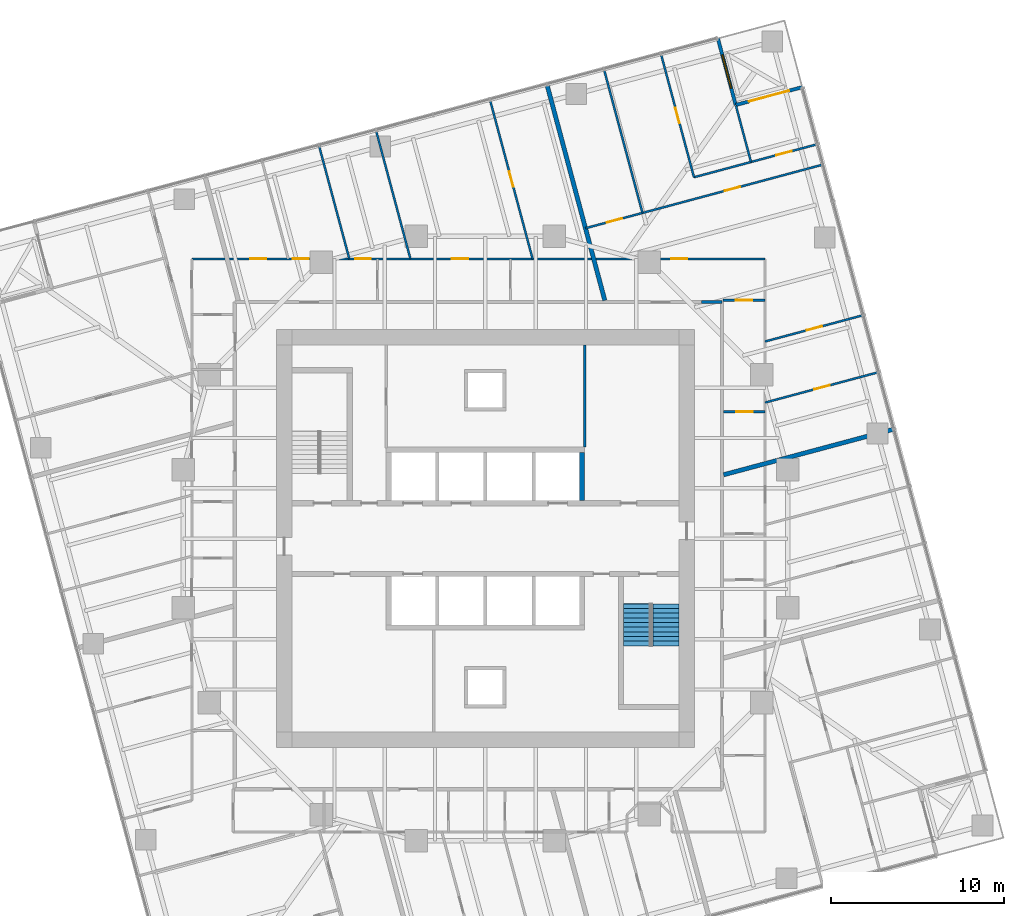
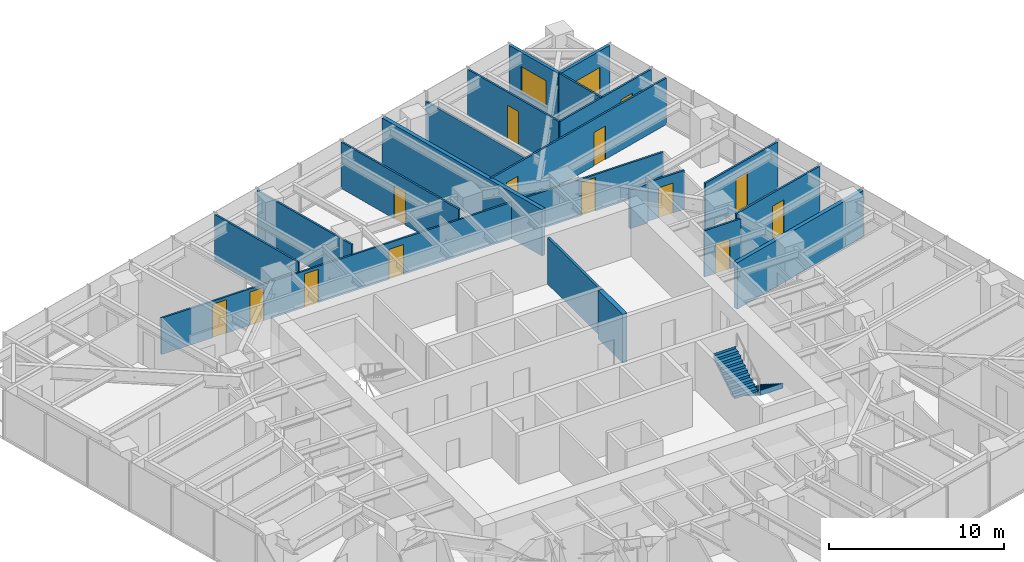
# One storey, part 12 of 14: 20 walls, 15 doors, 2 stair flights, 1 window, 16 openings, 1 element without a shape of its own.
"""IFC4 building model written with IfcOpenShell, lengths in metres."""

from ifc_helpers import new_model, si_unit, direction, frame, frame_2d, origin, place, context, subcontext, project, spatial, polyline, rectangle, outline, extrude, material, layer, layer_set, type_object, element, fill, aggregate, save


model = new_model("IFC4")

# Units and contexts
model_context = context("Model", 3, precision=1e-05, world=origin(), true_north=direction((0.0, 1.0)))
body_context = subcontext(model_context, "Body", "Model", "MODEL_VIEW")
ifc_project = project(units=[si_unit("LENGTHUNIT", "METRE"), si_unit("AREAUNIT", "SQUARE_METRE"), si_unit("VOLUMEUNIT", "CUBIC_METRE"), si_unit("PLANEANGLEUNIT", "RADIAN"), si_unit("MASSUNIT", "GRAM", prefix="KILO")], contexts=[model_context])

# Site, building, storey
site_placement = place(None, origin())
site = spatial("IfcSite", under=ifc_project, at=site_placement, CompositionType="ELEMENT")
building_placement = place(site_placement, origin())
building = spatial("IfcBuilding", under=site, at=building_placement, Name="Torsade Residences", CompositionType="ELEMENT")
storey_placement = place(building_placement, frame((0.0, 0.0, 121.800048828125)))
storey = spatial("IfcBuildingStorey", under=building, at=storey_placement, Name="L33", CompositionType="ELEMENT", Elevation=121.800048828125)

# Walls
ifc_material_1 = material(Name="Concrete 80 MPa", Category="concrete")
ifc_layer_1 = layer(ifc_material_1, 0.300048828125)
ifc_layer_set_1 = layer_set([ifc_layer_1], Name="Concrete 80 MPa")
wall_type_1 = type_object("IfcWallType", Name="CORE INTERNAL WALL 300", PredefinedType="SHEAR", material=ifc_layer_set_1)
wall_1_placement = place(storey_placement, frame((45.60009765625, 32.199951171875, 0.0), z_axis=(0.0, 0.0, 1.0), x_axis=(0.0, 1.0, 0.0)))
element("IfcWall", 1, at=wall_1_placement, inside=storey, type_object=wall_type_1, Name="Core wall DN4 L33", PredefinedType="SHEAR", context=body_context, shape_type="SweptSolid", body=[
    extrude(rectangle(XDim=2.800048828125, YDim=0.300048828125, at=frame_2d((1.39990234375, 0.0))), origin(), (0.0, 0.0, 1.0), 3.39990234375),
])
ifc_material_2 = material(Name="Plasterboard on steel stud", Category="steel")
ifc_layer_2 = layer(ifc_material_2, 0.199951171875)
ifc_layer_set_2 = layer_set([ifc_layer_2], Name="Plasterboard on steel stud")
wall_type_2 = type_object("IfcWallType", Name="CORRIDOR WALL 200", PredefinedType="PARTITIONING", material=ifc_layer_set_2)
wall_2_placement = place(storey_placement, frame((53.699951171875, 43.699951171875, 0.0), z_axis=(0.0, 0.0, 1.0), x_axis=(-1.0, 0.0, 0.0)))
element("IfcWall", 2, at=wall_2_placement, inside=storey, type_object=wall_type_2, Name="Corridor wall L33", PredefinedType="PARTITIONING", context=body_context, shape_type="SweptSolid", body=[
    extrude(rectangle(XDim=1.179931640625, YDim=0.199951171875, at=frame_2d((0.58984375, 0.0))), origin(), (0.0, 0.0, 1.0), 2.721923828125),
])

# Wall, opening, door
ifc_material_3 = material(Name="Plasterboard on steel stud", Category="steel")
ifc_layer_3 = layer(ifc_material_3, 0.1201171875)
ifc_layer_set_3 = layer_set([ifc_layer_3], Name="Plasterboard on steel stud")
wall_type_3 = type_object("IfcWallType", Name="PARTITION 120", PredefinedType="PARTITIONING", material=ifc_layer_set_3)
wall_3_placement = place(storey_placement, frame((56.199951171875, 43.800048828125, 0.0), z_axis=(0.0, 0.0, 1.0), x_axis=(-1.0, 0.0, 0.0)))
wall_3 = element("IfcWall", 3, at=wall_3_placement, inside=storey, type_object=wall_type_3, Name="Partition L33", PredefinedType="PARTITIONING", context=body_context, shape_type="SweptSolid", body=[
    extrude(rectangle(XDim=2.449951171875, YDim=0.1201171875, at=frame_2d((1.22509765625, 0.0))), origin(), (0.0, 0.0, 1.0), 2.721923828125),
])
opening_1_placement = place(wall_3_placement, frame((0.7451171875, 0.0, 0.0)))
opening_1 = element("IfcOpeningElement", 4, at=opening_1_placement, cuts=wall_3, Name="Opening D05", PredefinedType="OPENING", context=body_context, shape_type="SweptSolid", body=[
    extrude(rectangle(XDim=0.9599609375, YDim=2.10009765625, at=frame_2d((0.47998046875, 1.050048828125))), frame((0.0, 0.070068359375, 0.0), z_axis=(0.0, -1.0, 0.0), x_axis=(1.0, 0.0, 0.0)), (0.0, 0.0, 1.0), 0.14013671875),
])
ifc_material_4 = material(Name="Hollow-core timber door in a steel cavity frame", Category="steel")
door_type_1 = type_object("IfcDoorType", Name="BATHROOM CAVITY SLIDING DOOR 960", OperationType="SLIDING_TO_LEFT", PredefinedType="DOOR", material=ifc_material_4)
door_1_placement = place(opening_1_placement, origin())
door_1 = element("IfcDoor", 5, at=door_1_placement, inside=storey, type_object=door_type_1, Name="Door Kitchen and dining to Bathroom", OperationType="SLIDING_TO_LEFT", OverallHeight=2.10009765625, OverallWidth=0.9599609375, PredefinedType="DOOR", context=body_context, shape_type="SweptSolid", body=[
    extrude(rectangle(XDim=0.9599609375, YDim=2.10009765625, at=frame_2d((0.47998046875, 1.050048828125))), frame((0.0, 0.02490234375, 0.0), z_axis=(0.0, -1.0, 0.0), x_axis=(1.0, 0.0, 0.0)), (0.0, 0.0, 1.0), 0.050048828125),
])
fill(opening_1, door_1)

# Wall, openings, doors
wall_4_placement = place(storey_placement, frame((23.0, 46.199951171875, 0.0), z_axis=(0.0, 0.0, 1.0), x_axis=(1.0, 0.0, 0.0)))
wall_4 = element("IfcWall", 6, at=wall_4_placement, inside=storey, type_object=wall_type_3, Name="Partition L33", PredefinedType="PARTITIONING", context=body_context, shape_type="SweptSolid", body=[
    extrude(rectangle(XDim=33.199951171875, YDim=0.1201171875, at=frame_2d((16.60009765625, 0.0))), origin(), (0.0, 0.0, 1.0), 2.550048828125),
])
opening_2_placement = place(wall_4_placement, frame((5.843505859375, 0.0, 0.0)))
opening_2 = element("IfcOpeningElement", 7, at=opening_2_placement, cuts=wall_4, Name="Opening D02", PredefinedType="OPENING", context=body_context, shape_type="SweptSolid", body=[
    extrude(rectangle(XDim=0.919921875, YDim=2.340087890625, at=frame_2d((0.4599609375, 1.169921875))), frame((0.0, 0.070068359375, 0.0), z_axis=(0.0, -1.0, 0.0), x_axis=(1.0, 0.0, 0.0)), (0.0, 0.0, 1.0), 0.14013671875),
])
opening_3_placement = place(wall_4_placement, frame((3.382080078125, 0.0, 0.0)))
opening_3 = element("IfcOpeningElement", 8, at=opening_3_placement, cuts=wall_4, Name="Opening D02", PredefinedType="OPENING", context=body_context, shape_type="SweptSolid", body=[
    extrude(rectangle(XDim=0.919921875, YDim=2.340087890625, at=frame_2d((0.4599609375, 1.169921875))), frame((0.0, 0.070068359375, 0.0), z_axis=(0.0, -1.0, 0.0), x_axis=(1.0, 0.0, 0.0)), (0.0, 0.0, 1.0), 0.14013671875),
])
opening_4_placement = place(wall_4_placement, frame((9.4521484375, 0.0, 0.0)))
opening_4 = element("IfcOpeningElement", 9, at=opening_4_placement, cuts=wall_4, Name="Opening D02", PredefinedType="OPENING", context=body_context, shape_type="SweptSolid", body=[
    extrude(rectangle(XDim=0.919921875, YDim=2.340087890625, at=frame_2d((0.4599609375, 1.169921875))), frame((0.0, 0.070068359375, 0.0), z_axis=(0.0, -1.0, 0.0), x_axis=(1.0, 0.0, 0.0)), (0.0, 0.0, 1.0), 0.14013671875),
])
opening_5_placement = place(wall_4_placement, frame((27.775390625, 0.0, 0.0)))
opening_5 = element("IfcOpeningElement", 10, at=opening_5_placement, cuts=wall_4, Name="Opening D02", PredefinedType="OPENING", context=body_context, shape_type="SweptSolid", body=[
    extrude(rectangle(XDim=0.919921875, YDim=2.340087890625, at=frame_2d((0.4599609375, 1.169921875))), frame((0.0, 0.070068359375, 0.0), z_axis=(0.0, -1.0, 0.0), x_axis=(1.0, 0.0, 0.0)), (0.0, 0.0, 1.0), 0.14013671875),
])
opening_6_placement = place(wall_4_placement, frame((15.050048828125, 0.0, 0.0)))
opening_6 = element("IfcOpeningElement", 11, at=opening_6_placement, cuts=wall_4, Name="Opening D05", PredefinedType="OPENING", context=body_context, shape_type="SweptSolid", body=[
    extrude(rectangle(XDim=0.9599609375, YDim=2.10009765625, at=frame_2d((0.47998046875, 1.050048828125))), frame((0.0, 0.070068359375, 0.0), z_axis=(0.0, -1.0, 0.0), x_axis=(1.0, 0.0, 0.0)), (0.0, 0.0, 1.0), 0.14013671875),
])
door_2_placement = place(opening_6_placement, origin())
door_2 = element("IfcDoor", 12, at=door_2_placement, inside=storey, type_object=door_type_1, Name="Door Bathroom to Living room", OperationType="SLIDING_TO_LEFT", OverallHeight=2.10009765625, OverallWidth=0.9599609375, PredefinedType="DOOR", context=body_context, shape_type="SweptSolid", body=[
    extrude(rectangle(XDim=0.9599609375, YDim=2.10009765625, at=frame_2d((0.47998046875, 1.050048828125))), frame((0.0, 0.02490234375, 0.0), z_axis=(0.0, -1.0, 0.0), x_axis=(1.0, 0.0, 0.0)), (0.0, 0.0, 1.0), 0.050048828125),
])
fill(opening_6, door_2)
ifc_material_5 = material(Name="Hollow-core timber door", Category="wood")
door_type_2 = type_object("IfcDoorType", Name="INTERNAL DOOR 920x2340", OperationType="NOTDEFINED", PredefinedType="DOOR", material=ifc_material_5)
door_3_placement = place(opening_2_placement, origin())
door_3 = element("IfcDoor", 13, at=door_3_placement, inside=storey, type_object=door_type_2, Name="Door Kitchen and dining to Bedroom 3", OperationType="SINGLE_SWING_RIGHT", OverallHeight=2.340087890625, OverallWidth=0.919921875, PredefinedType="DOOR", context=body_context, shape_type="SweptSolid", body=[
    extrude(rectangle(XDim=0.919921875, YDim=2.340087890625, at=frame_2d((0.4599609375, 1.169921875))), frame((0.0, 0.02490234375, 0.0), z_axis=(0.0, -1.0, 0.0), x_axis=(1.0, 0.0, 0.0)), (0.0, 0.0, 1.0), 0.050048828125),
])
fill(opening_2, door_3)
door_4_placement = place(opening_3_placement, origin())
door_4 = element("IfcDoor", 14, at=door_4_placement, inside=storey, type_object=door_type_2, Name="Door Kitchen and dining to Study", OperationType="SINGLE_SWING_RIGHT", OverallHeight=2.340087890625, OverallWidth=0.919921875, PredefinedType="DOOR", context=body_context, shape_type="SweptSolid", body=[
    extrude(rectangle(XDim=0.919921875, YDim=2.340087890625, at=frame_2d((0.4599609375, 1.169921875))), frame((0.0, 0.02490234375, 0.0), z_axis=(0.0, -1.0, 0.0), x_axis=(1.0, 0.0, 0.0)), (0.0, 0.0, 1.0), 0.050048828125),
])
fill(opening_3, door_4)
door_5_placement = place(opening_4_placement, origin())
door_5 = element("IfcDoor", 15, at=door_5_placement, inside=storey, type_object=door_type_2, Name="Door Kitchen and dining to Bedroom 2", OperationType="SINGLE_SWING_LEFT", OverallHeight=2.340087890625, OverallWidth=0.919921875, PredefinedType="DOOR", context=body_context, shape_type="SweptSolid", body=[
    extrude(rectangle(XDim=0.919921875, YDim=2.340087890625, at=frame_2d((0.4599609375, 1.169921875))), frame((0.0, 0.02490234375, 0.0), z_axis=(0.0, -1.0, 0.0), x_axis=(1.0, 0.0, 0.0)), (0.0, 0.0, 1.0), 0.050048828125),
])
fill(opening_4, door_5)
door_6_placement = place(opening_5_placement, origin())
door_6 = element("IfcDoor", 16, at=door_6_placement, inside=storey, type_object=door_type_2, Name="Door Kitchen and dining to Living room", OperationType="SINGLE_SWING_LEFT", OverallHeight=2.340087890625, OverallWidth=0.919921875, PredefinedType="DOOR", context=body_context, shape_type="SweptSolid", body=[
    extrude(rectangle(XDim=0.919921875, YDim=2.340087890625, at=frame_2d((0.4599609375, 1.169921875))), frame((0.0, 0.02490234375, 0.0), z_axis=(0.0, -1.0, 0.0), x_axis=(1.0, 0.0, 0.0)), (0.0, 0.0, 1.0), 0.050048828125),
])
fill(opening_5, door_6)

# Wall, opening, door
wall_5_placement = place(storey_placement, frame((56.199951171875, 37.345458984375, 0.0), z_axis=(0.0, 0.0, 1.0), x_axis=(-1.0, 0.0, 0.0)))
wall_5 = element("IfcWall", 17, at=wall_5_placement, inside=storey, type_object=wall_type_3, Name="Partition L33", PredefinedType="PARTITIONING", context=body_context, shape_type="SweptSolid", body=[
    extrude(rectangle(XDim=2.39990234375, YDim=0.1201171875, at=frame_2d((1.199951171875, 0.0))), origin(), (0.0, 0.0, 1.0), 3.25),
])
opening_7_placement = place(wall_5_placement, frame((0.719970703125, 0.0, 0.0)))
opening_7 = element("IfcOpeningElement", 18, at=opening_7_placement, cuts=wall_5, Name="Opening D05", PredefinedType="OPENING", context=body_context, shape_type="SweptSolid", body=[
    extrude(rectangle(XDim=0.9599609375, YDim=2.10009765625, at=frame_2d((0.47998046875, 1.050048828125))), frame((0.0, 0.070068359375, 0.0), z_axis=(0.0, -1.0, 0.0), x_axis=(1.0, 0.0, 0.0)), (0.0, 0.0, 1.0), 0.14013671875),
])
door_7_placement = place(opening_7_placement, origin())
door_7 = element("IfcDoor", 19, at=door_7_placement, inside=storey, type_object=door_type_1, Name="Door Bathroom to Ensuite", OperationType="SLIDING_TO_LEFT", OverallHeight=2.10009765625, OverallWidth=0.9599609375, PredefinedType="DOOR", context=body_context, shape_type="SweptSolid", body=[
    extrude(rectangle(XDim=0.9599609375, YDim=2.10009765625, at=frame_2d((0.47998046875, 1.050048828125))), frame((0.0, 0.02490234375, 0.0), z_axis=(0.0, -1.0, 0.0), x_axis=(1.0, 0.0, 0.0)), (0.0, 0.0, 1.0), 0.050048828125),
])
fill(opening_7, door_7)

# Wall, openings, doors
wall_6_placement = place(storey_placement, frame((45.7958984375, 47.97265625, 0.0), z_axis=(0.0, 0.0, 1.0), x_axis=(0.965921975889, 0.258833414564, 0.0)))
wall_6 = element("IfcWall", 20, at=wall_6_placement, inside=storey, type_object=wall_type_3, Name="Partition L33", PredefinedType="PARTITIONING", context=body_context, shape_type="SweptSolid", body=[
    extrude(rectangle(XDim=14.209716796875, YDim=0.1201171875, at=frame_2d((7.10498046875, 0.0))), origin(), (0.0, 0.0, 1.0), 3.25),
])
opening_8_placement = place(wall_6_placement, frame((8.348388671875, 0.0, 0.0)))
opening_8 = element("IfcOpeningElement", 21, at=opening_8_placement, cuts=wall_6, Name="Opening D02", PredefinedType="OPENING", context=body_context, shape_type="SweptSolid", body=[
    extrude(rectangle(XDim=0.919921875, YDim=2.340087890625, at=frame_2d((0.4599609375, 1.169921875))), frame((0.0, 0.070068359375, 0.0), z_axis=(0.0, -1.0, 0.0), x_axis=(1.0, 0.0, 0.0)), (0.0, 0.0, 1.0), 0.14013671875),
])
opening_9_placement = place(wall_6_placement, frame((1.2734375, 0.0, 0.0)))
opening_9 = element("IfcOpeningElement", 22, at=opening_9_placement, cuts=wall_6, Name="Opening D02", PredefinedType="OPENING", context=body_context, shape_type="SweptSolid", body=[
    extrude(rectangle(XDim=0.919921875, YDim=2.340087890625, at=frame_2d((0.4599609375, 1.169921875))), frame((0.0, 0.070068359375, 0.0), z_axis=(0.0, -1.0, 0.0), x_axis=(1.0, 0.0, 0.0)), (0.0, 0.0, 1.0), 0.14013671875),
])
door_8_placement = place(opening_8_placement, origin())
door_8 = element("IfcDoor", 23, at=door_8_placement, inside=storey, type_object=door_type_2, Name="Door Living room to Bedroom 1", OperationType="SINGLE_SWING_RIGHT", OverallHeight=2.340087890625, OverallWidth=0.919921875, PredefinedType="DOOR", context=body_context, shape_type="SweptSolid", body=[
    extrude(rectangle(XDim=0.919921875, YDim=2.340087890625, at=frame_2d((0.4599609375, 1.169921875))), frame((0.0, 0.02490234375, 0.0), z_axis=(0.0, -1.0, 0.0), x_axis=(1.0, 0.0, 0.0)), (0.0, 0.0, 1.0), 0.050048828125),
])
fill(opening_8, door_8)
door_9_placement = place(opening_9_placement, origin())
door_9 = element("IfcDoor", 24, at=door_9_placement, inside=storey, type_object=door_type_2, Name="Door Living room to Bedroom 2", OperationType="SINGLE_SWING_RIGHT", OverallHeight=2.340087890625, OverallWidth=0.919921875, PredefinedType="DOOR", context=body_context, shape_type="SweptSolid", body=[
    extrude(rectangle(XDim=0.919921875, YDim=2.340087890625, at=frame_2d((0.4599609375, 1.169921875))), frame((0.0, 0.02490234375, 0.0), z_axis=(0.0, -1.0, 0.0), x_axis=(1.0, 0.0, 0.0)), (0.0, 0.0, 1.0), 0.050048828125),
])
fill(opening_9, door_9)

# Wall, opening, door
wall_7_placement = place(storey_placement, frame((61.85791015625, 42.93115234375, 0.0), z_axis=(0.0, 0.0, 1.0), x_axis=(-0.965933354686, -0.258790947109, 0.0)))
wall_7 = element("IfcWall", 25, at=wall_7_placement, inside=storey, type_object=wall_type_3, Name="Partition L33", PredefinedType="PARTITIONING", context=body_context, shape_type="SweptSolid", body=[
    extrude(rectangle(XDim=5.857421875, YDim=0.1201171875, at=frame_2d((2.9287109375, 0.0))), origin(), (0.0, 0.0, 1.0), 3.25),
])
opening_10_placement = place(wall_7_placement, frame((2.44873046875, 0.0, 0.0)))
opening_10 = element("IfcOpeningElement", 26, at=opening_10_placement, cuts=wall_7, Name="Opening D02", PredefinedType="OPENING", context=body_context, shape_type="SweptSolid", body=[
    extrude(rectangle(XDim=0.919921875, YDim=2.340087890625, at=frame_2d((0.4599609375, 1.169921875))), frame((0.0, 0.070068359375, 0.0), z_axis=(0.0, -1.0, 0.0), x_axis=(1.0, 0.0, 0.0)), (0.0, 0.0, 1.0), 0.14013671875),
])
door_10_placement = place(opening_10_placement, origin())
door_10 = element("IfcDoor", 27, at=door_10_placement, inside=storey, type_object=door_type_2, Name="Door Living room to Family room", OperationType="SINGLE_SWING_RIGHT", OverallHeight=2.340087890625, OverallWidth=0.919921875, PredefinedType="DOOR", context=body_context, shape_type="SweptSolid", body=[
    extrude(rectangle(XDim=0.919921875, YDim=2.340087890625, at=frame_2d((0.4599609375, 1.169921875))), frame((0.0, 0.02490234375, 0.0), z_axis=(0.0, -1.0, 0.0), x_axis=(1.0, 0.0, 0.0)), (0.0, 0.0, 1.0), 0.050048828125),
])
fill(opening_10, door_10)

# Wall
wall_8_placement = place(storey_placement, frame((49.095947265625, 48.857177734375, 0.0), z_axis=(0.0, 0.0, 1.0), x_axis=(-0.258800415469, 0.965930817892, 0.0)))
element("IfcWall", 28, at=wall_8_placement, inside=storey, type_object=wall_type_3, Name="Partition L33", PredefinedType="PARTITIONING", context=body_context, shape_type="SweptSolid", body=[
    extrude(rectangle(XDim=8.599609375, YDim=0.1201171875, at=frame_2d((4.2998046875, 0.0))), origin(), (0.0, 0.0, 1.0), 2.721923828125),
])

# Wall, opening, door
wall_9_placement = place(storey_placement, frame((50.17041015625, 58.048095703125, 0.0), z_axis=(0.0, 0.0, 1.0), x_axis=(0.258807770359, -0.965928847277, 0.0)))
wall_9 = element("IfcWall", 29, at=wall_9_placement, inside=storey, type_object=wall_type_3, Name="Partition L33", PredefinedType="PARTITIONING", context=body_context, shape_type="SweptSolid", body=[
    extrude(rectangle(XDim=7.376708984375, YDim=0.1201171875, at=frame_2d((3.6884765625, 0.0))), origin(), (0.0, 0.0, 1.0), 3.25),
])
opening_11_placement = place(wall_9_placement, frame((3.208251953125, 0.0, 0.0)))
opening_11 = element("IfcOpeningElement", 30, at=opening_11_placement, cuts=wall_9, Name="Opening D02", PredefinedType="OPENING", context=body_context, shape_type="SweptSolid", body=[
    extrude(rectangle(XDim=0.919921875, YDim=2.340087890625, at=frame_2d((0.4599609375, 1.169921875))), frame((0.0, 0.070068359375, 0.0), z_axis=(0.0, -1.0, 0.0), x_axis=(1.0, 0.0, 0.0)), (0.0, 0.0, 1.0), 0.14013671875),
])
door_11_placement = place(opening_11_placement, origin())
door_11 = element("IfcDoor", 31, at=door_11_placement, inside=storey, type_object=door_type_2, Name="Door Bedroom 1 to Bedroom 3", OperationType="SINGLE_SWING_RIGHT", OverallHeight=2.340087890625, OverallWidth=0.919921875, PredefinedType="DOOR", context=body_context, shape_type="SweptSolid", body=[
    extrude(rectangle(XDim=0.919921875, YDim=2.340087890625, at=frame_2d((0.4599609375, 1.169921875))), frame((0.0, 0.02490234375, 0.0), z_axis=(0.0, -1.0, 0.0), x_axis=(1.0, 0.0, 0.0)), (0.0, 0.0, 1.0), 0.050048828125),
])
fill(opening_11, door_11)

wall_10_placement = place(storey_placement, frame((52.07958984375, 50.922607421875, 0.0), z_axis=(0.0, 0.0, 1.0), x_axis=(0.965920573283, 0.258838648792, 0.0)))
wall_10 = element("IfcWall", 32, at=wall_10_placement, inside=storey, type_object=wall_type_3, Name="Partition L33", PredefinedType="PARTITIONING", context=body_context, shape_type="SweptSolid", body=[
    extrude(rectangle(XDim=7.376953125, YDim=0.1201171875, at=frame_2d((3.6884765625, 0.0))), origin(), (0.0, 0.0, 1.0), 3.25),
])
opening_12_placement = place(wall_10_placement, frame((4.931640625, 0.0, 0.0)))
opening_12 = element("IfcOpeningElement", 33, at=opening_12_placement, cuts=wall_10, Name="Opening D02", PredefinedType="OPENING", context=body_context, shape_type="SweptSolid", body=[
    extrude(rectangle(XDim=0.919921875, YDim=2.340087890625, at=frame_2d((0.4599609375, 1.169921875))), frame((0.0, 0.070068359375, 0.0), z_axis=(0.0, -1.0, 0.0), x_axis=(1.0, 0.0, 0.0)), (0.0, 0.0, 1.0), 0.14013671875),
])
door_12_placement = place(opening_12_placement, origin())
door_12 = element("IfcDoor", 34, at=door_12_placement, inside=storey, type_object=door_type_2, Name="Door Bedroom 1 to Media room", OperationType="SINGLE_SWING_LEFT", OverallHeight=2.340087890625, OverallWidth=0.919921875, PredefinedType="DOOR", context=body_context, shape_type="SweptSolid", body=[
    extrude(rectangle(XDim=0.919921875, YDim=2.340087890625, at=frame_2d((0.4599609375, 1.169921875))), frame((0.0, 0.02490234375, 0.0), z_axis=(0.0, -1.0, 0.0), x_axis=(1.0, 0.0, 0.0)), (0.0, 0.0, 1.0), 0.050048828125),
])
fill(opening_12, door_12)

# Wall
wall_11_placement = place(storey_placement, frame((54.506103515625, 55.068603515625, 0.0), z_axis=(0.0, 0.0, 1.0), x_axis=(0.258783069815, -0.96593546512, 0.0)))
element("IfcWall", 35, at=wall_11_placement, inside=storey, type_object=wall_type_3, Name="Partition L33", PredefinedType="PARTITIONING", context=body_context, shape_type="SweptSolid", body=[
    extrude(rectangle(XDim=3.37646484375, YDim=0.1201171875, at=frame_2d((1.688232421875, 0.0))), origin(), (0.0, 0.0, 1.0), 3.25),
])

# Wall, opening, door
wall_12_placement = place(storey_placement, frame((56.199951171875, 37.8779296875, 0.0), z_axis=(0.0, 0.0, 1.0), x_axis=(0.96591892777, 0.258844789354, 0.0)))
wall_12 = element("IfcWall", 36, at=wall_12_placement, inside=storey, type_object=wall_type_3, Name="Partition L33", PredefinedType="PARTITIONING", context=body_context, shape_type="SweptSolid", body=[
    extrude(rectangle(XDim=6.77294921875, YDim=0.1201171875, at=frame_2d((3.386474609375, 0.0))), origin(), (0.0, 0.0, 1.0), 3.25),
])
opening_13_placement = place(wall_12_placement, frame((2.946533203125, 0.0, 0.0)))
opening_13 = element("IfcOpeningElement", 37, at=opening_13_placement, cuts=wall_12, Name="Opening D02", PredefinedType="OPENING", context=body_context, shape_type="SweptSolid", body=[
    extrude(rectangle(XDim=0.919921875, YDim=2.340087890625, at=frame_2d((0.4599609375, 1.169921875))), frame((0.0, 0.070068359375, 0.0), z_axis=(0.0, -1.0, 0.0), x_axis=(1.0, 0.0, 0.0)), (0.0, 0.0, 1.0), 0.14013671875),
])
door_13_placement = place(opening_13_placement, origin())
door_13 = element("IfcDoor", 38, at=door_13_placement, inside=storey, type_object=door_type_2, Name="Door Family room to Study", OperationType="SINGLE_SWING_LEFT", OverallHeight=2.340087890625, OverallWidth=0.919921875, PredefinedType="DOOR", context=body_context, shape_type="SweptSolid", body=[
    extrude(rectangle(XDim=0.919921875, YDim=2.340087890625, at=frame_2d((0.4599609375, 1.169921875))), frame((0.0, 0.02490234375, 0.0), z_axis=(0.0, -1.0, 0.0), x_axis=(1.0, 0.0, 0.0)), (0.0, 0.0, 1.0), 0.050048828125),
])
fill(opening_13, door_13)

wall_13_placement = place(storey_placement, frame((40.269775390625, 55.395263671875, 0.0), z_axis=(0.0, 0.0, 1.0), x_axis=(0.25881812666, -0.965926072385, 0.0)))
wall_13 = element("IfcWall", 39, at=wall_13_placement, inside=storey, type_object=wall_type_3, Name="Partition L33", PredefinedType="PARTITIONING", context=body_context, shape_type="SweptSolid", body=[
    extrude(rectangle(XDim=9.519775390625, YDim=0.1201171875, at=frame_2d((4.759765625, 0.0))), origin(), (0.0, 0.0, 1.0), 3.25),
])
opening_14_placement = place(wall_13_placement, frame((4.27978515625, 0.0, 0.0)))
opening_14 = element("IfcOpeningElement", 40, at=opening_14_placement, cuts=wall_13, Name="Opening D02", PredefinedType="OPENING", context=body_context, shape_type="SweptSolid", body=[
    extrude(rectangle(XDim=0.919921875, YDim=2.340087890625, at=frame_2d((0.4599609375, 1.169921875))), frame((0.0, 0.070068359375, 0.0), z_axis=(0.0, -1.0, 0.0), x_axis=(1.0, 0.0, 0.0)), (0.0, 0.0, 1.0), 0.14013671875),
])
door_14_placement = place(opening_14_placement, origin())
door_14 = element("IfcDoor", 41, at=door_14_placement, inside=storey, type_object=door_type_2, Name="Door Living room to Bedroom 1", OperationType="SINGLE_SWING_LEFT", OverallHeight=2.340087890625, OverallWidth=0.919921875, PredefinedType="DOOR", context=body_context, shape_type="SweptSolid", body=[
    extrude(rectangle(XDim=0.919921875, YDim=2.340087890625, at=frame_2d((0.4599609375, 1.169921875))), frame((0.0, 0.02490234375, 0.0), z_axis=(0.0, -1.0, 0.0), x_axis=(1.0, 0.0, 0.0)), (0.0, 0.0, 1.0), 0.050048828125),
])
fill(opening_14, door_14)

# Walls
wall_14_placement = place(storey_placement, frame((35.6591796875, 46.199951171875, 0.0), z_axis=(0.0, 0.0, 1.0), x_axis=(-0.258826555959, 0.96592381373, 0.0)))
element("IfcWall", 42, at=wall_14_placement, inside=storey, type_object=wall_type_3, Name="Partition L33", PredefinedType="PARTITIONING", context=body_context, shape_type="SweptSolid", body=[
    extrude(rectangle(XDim=7.6884765625, YDim=0.1201171875, at=frame_2d((3.84423828125, 0.0))), origin(), (0.0, 0.0, 1.0), 3.25),
])
wall_15_placement = place(storey_placement, frame((32.1220703125, 46.199951171875, 0.0), z_axis=(0.0, 0.0, 1.0), x_axis=(-0.258811158187, 0.965927939547, 0.0)))
element("IfcWall", 43, at=wall_15_placement, inside=storey, type_object=wall_type_3, Name="Partition L33", PredefinedType="PARTITIONING", context=body_context, shape_type="SweptSolid", body=[
    extrude(rectangle(XDim=6.77294921875, YDim=0.1201171875, at=frame_2d((3.386474609375, 0.0))), origin(), (0.0, 0.0, 1.0), 3.25),
])
ifc_material_6 = material(Name="Masonry-lined stud party wall", Category="masonry")
ifc_layer_4 = layer(ifc_material_6, 0.25)
ifc_layer_set_4 = layer_set([ifc_layer_4], Name="Masonry-lined stud party wall")
wall_type_4 = type_object("IfcWallType", Name="PARTY WALL 250", PredefinedType="PARTITIONING", material=ifc_layer_set_4)
wall_16_placement = place(storey_placement, frame((63.665283203125, 36.341064453125, 0.0), z_axis=(0.0, 0.0, 1.0), x_axis=(-0.965927365002, -0.258813302479, 0.0)))
element("IfcWall", 44, at=wall_16_placement, inside=storey, type_object=wall_type_4, Name="Party wall L33", PredefinedType="PARTITIONING", context=body_context, shape_type="SweptSolid", body=[
    extrude(rectangle(XDim=10.2197265625, YDim=0.25, at=frame_2d((5.10986328125, 0.0))), origin(), (0.0, 0.0, 1.0), 3.25),
])
wall_17_placement = place(storey_placement, frame((43.5595703125, 56.318115234375, 0.0), z_axis=(0.0, 0.0, 1.0), x_axis=(0.258822671559, -0.965924854576, 0.0)))
element("IfcWall", 45, at=wall_17_placement, inside=storey, type_object=wall_type_4, Name="Party wall L33", PredefinedType="PARTITIONING", context=body_context, shape_type="SweptSolid", body=[
    extrude(rectangle(XDim=12.96630859375, YDim=0.25, at=frame_2d((6.483154296875, 0.0))), origin(), (0.0, 0.0, 1.0), 3.25),
])
ifc_material_7 = material(Name="Reinforced blockwork", Category="masonry")
ifc_layer_5 = layer(ifc_material_7, 0.14990234375)
ifc_layer_set_5 = layer_set([ifc_layer_5], Name="Reinforced blockwork")
wall_type_5 = type_object("IfcWallType", Name="SERVICE ROOM WALL 150", PredefinedType="SOLIDWALL", material=ifc_layer_set_5)
wall_18_placement = place(storey_placement, frame((45.75, 41.199951171875, 0.0), z_axis=(0.0, 0.0, 1.0), x_axis=(0.0, -1.0, 0.0)))
element("IfcWall", 46, at=wall_18_placement, inside=storey, type_object=wall_type_5, Name="Service room wall L33", PredefinedType="SOLIDWALL", context=body_context, shape_type="SweptSolid", body=[
    extrude(rectangle(XDim=5.89990234375, YDim=0.14990234375, at=frame_2d((2.949951171875, 0.0))), origin(), (0.0, 0.0, 1.0), 3.25),
])

# Wall, opening, door
ifc_material_8 = material(Name="Stone-faced precast concrete 40 MPa panel", Category="masonry")
ifc_layer_6 = layer(ifc_material_8, 0.199951171875)
ifc_layer_set_6 = layer_set([ifc_layer_6], Name="Stone-faced precast concrete 40 MPa panel")
wall_type_6 = type_object("IfcWallType", Name="TERRACE WALL 200", PredefinedType="SOLIDWALL", material=ifc_layer_set_6)
wall_19_placement = place(storey_placement, frame((58.359375, 56.142578125, 0.0), z_axis=(0.0, 0.0, 1.0), x_axis=(-0.965919172068, -0.258843877716, 0.0)))
wall_19 = element("IfcWall", 47, at=wall_19_placement, inside=storey, type_object=wall_type_6, Name="Terrace wall L33 5", PredefinedType="SOLIDWALL", context=body_context, shape_type="SweptSolid", body=[
    extrude(rectangle(XDim=4.0, YDim=0.199951171875, at=frame_2d((2.0, 0.0))), origin(), (0.0, 0.0, 1.0), 3.25),
])
opening_15_placement = place(wall_19_placement, frame((0.800048828125, 0.0, 0.0)))
opening_15 = element("IfcOpeningElement", 48, at=opening_15_placement, cuts=wall_19, Name="Opening D10A", PredefinedType="OPENING", context=body_context, shape_type="SweptSolid", body=[
    extrude(rectangle(XDim=2.39990234375, YDim=2.10009765625, at=frame_2d((1.199951171875, 1.050048828125))), frame((0.0, 0.10986328125, 0.0), z_axis=(0.0, -1.0, 0.0), x_axis=(1.0, 0.0, 0.0)), (0.0, 0.0, 1.0), 0.219970703125),
])
ifc_material_9 = material(Name="Aluminium-framed glass door", Category="aluminium")
door_type_3 = type_object("IfcDoorType", Name="TERRACE SLIDING DOOR 2400x2100", OperationType="SLIDING_TO_LEFT", PredefinedType="DOOR", material=ifc_material_9)
door_15_placement = place(opening_15_placement, origin())
door_15 = element("IfcDoor", 49, at=door_15_placement, inside=storey, type_object=door_type_3, Name="Terrace door L33 5", OperationType="SLIDING_TO_LEFT", OverallHeight=2.10009765625, OverallWidth=2.39990234375, PredefinedType="DOOR", context=body_context, shape_type="SweptSolid", body=[
    extrude(rectangle(XDim=2.39990234375, YDim=2.10009765625, at=frame_2d((1.199951171875, 1.050048828125))), frame((0.0, 0.02490234375, 0.0), z_axis=(0.0, -1.0, 0.0), x_axis=(1.0, 0.0, 0.0)), (0.0, 0.0, 1.0), 0.050048828125),
])
fill(opening_15, door_15)

# Wall, opening, window
wall_20_placement = place(storey_placement, frame((54.49560546875, 55.107177734375, 0.0), z_axis=(0.0, 0.0, 1.0), x_axis=(-0.258786931944, 0.965934430412, 0.0)))
wall_20 = element("IfcWall", 50, at=wall_20_placement, inside=storey, type_object=wall_type_6, Name="Terrace wall L33 6", PredefinedType="SOLIDWALL", context=body_context, shape_type="SweptSolid", body=[
    extrude(rectangle(XDim=4.0, YDim=0.199951171875, at=frame_2d((2.0, 0.0))), origin(), (0.0, 0.0, 1.0), 3.25),
])
opening_16_placement = place(wall_20_placement, frame((1.0, 0.0, 0.449951171875)))
opening_16 = element("IfcOpeningElement", 51, at=opening_16_placement, cuts=wall_20, Name="Opening W1B", PredefinedType="OPENING", context=body_context, shape_type="SweptSolid", body=[
    extrude(rectangle(XDim=2.0, YDim=1.800048828125, at=frame_2d((1.0, 0.89990234375))), frame((0.0, 0.10986328125, 0.0), z_axis=(0.0, -1.0, 0.0), x_axis=(1.0, 0.0, 0.0)), (0.0, 0.0, 1.0), 0.219970703125),
])
ifc_material_10 = material(Name="Aluminium-framed glass window", Category="aluminium")
window_type = type_object("IfcWindowType", Name="TERRACE WINDOW 2000x1800", PartitioningType="SINGLE_PANEL", PredefinedType="WINDOW", material=ifc_material_10)
window_placement = place(opening_16_placement, origin())
window = element("IfcWindow", 52, at=window_placement, inside=storey, type_object=window_type, Name="Terrace window L33 6", OverallHeight=1.800048828125, OverallWidth=2.0, PartitioningType="SINGLE_PANEL", PredefinedType="WINDOW", context=body_context, shape_type="SweptSolid", body=[
    extrude(rectangle(XDim=2.0, YDim=1.800048828125, at=frame_2d((1.0, 0.89990234375))), frame((0.0, 0.030029296875, 0.0), z_axis=(0.0, -1.0, 0.0), x_axis=(1.0, 0.0, 0.0)), (0.0, 0.0, 1.0), 0.06005859375),
])
fill(opening_16, window)

# Stair, stair flights
ifc_material_11 = material(Name="Precast concrete 40 MPa", Category="concrete")
stair_type = type_object("IfcStairType", Name="HALF-TURN FIRE STAIR 1500x3400", PredefinedType="HALF_TURN_STAIR", material=ifc_material_11)
stair_placement = place(storey_placement, origin())
stair = element("IfcStair", 53, at=stair_placement, inside=storey, type_object=stair_type, Name="Stair ST2 L33", PredefinedType="HALF_TURN_STAIR")
ifc_material_12 = material(Name="Precast concrete 40 MPa", Category="concrete")
stair_flight_type = type_object("IfcStairFlightType", Name="PRECAST STAIR FLIGHT 1500x1700", PredefinedType="STRAIGHT", material=ifc_material_12)
stair_flight_1_placement = place(storey_placement, frame((50.449951171875, 26.219970703125, 0.0), z_axis=(0.0, 0.0, 1.0), x_axis=(0.0, -1.0, 0.0)))
stair_flight_1 = element("IfcStairFlight", 54, at=stair_flight_1_placement, type_object=stair_flight_type, Name="ST2 flight 1", NumberOfRisers=10, NumberOfTreads=9, PredefinedType="STRAIGHT", RiserHeight=0.17, TreadLength=0.27, context=body_context, shape_type="SweptSolid", body=[
    extrude(outline(polyline([(0.0, 0.0), (0.0, 0.169921875), (0.27001953125, 0.169921875), (0.27001953125, 0.340087890625), (0.5400390625, 0.340087890625), (0.5400390625, 0.510009765625), (0.81005859375, 0.510009765625), (0.81005859375, 0.679931640625), (1.080078125, 0.679931640625), (1.080078125, 0.85009765625), (1.35009765625, 0.85009765625), (1.35009765625, 1.02001953125), (1.6201171875, 1.02001953125), (1.6201171875, 1.18994140625), (1.889892578125, 1.18994140625), (1.889892578125, 1.360107421875), (2.159912109375, 1.360107421875), (2.159912109375, 1.530029296875), (2.429931640625, 1.530029296875), (2.429931640625, 1.699951171875), (2.43994140625, 1.699951171875), (2.43994140625, 1.352783203125), (2.429931640625, 1.352783203125), (0.28125, 0.0), (0.0, 0.0)])), frame((0.0, 0.75, 0.0), z_axis=(0.0, -1.0, 0.0), x_axis=(1.0, 0.0, 0.0)), (0.0, 0.0, 1.0), 1.5),
])
stair_flight_2_placement = place(storey_placement, frame((48.75, 23.7900390625, 1.699951171875), z_axis=(0.0, 0.0, 1.0), x_axis=(0.0, 1.0, 0.0)))
stair_flight_2 = element("IfcStairFlight", 55, at=stair_flight_2_placement, type_object=stair_flight_type, Name="ST2 flight 2", NumberOfRisers=10, NumberOfTreads=9, PredefinedType="STRAIGHT", RiserHeight=0.17, TreadLength=0.27, context=body_context, shape_type="SweptSolid", body=[
    extrude(outline(polyline([(0.0, 0.0), (0.0, 0.169921875), (0.27001953125, 0.169921875), (0.27001953125, 0.340087890625), (0.5400390625, 0.340087890625), (0.5400390625, 0.510009765625), (0.81005859375, 0.510009765625), (0.81005859375, 0.679931640625), (1.080078125, 0.679931640625), (1.080078125, 0.85009765625), (1.35009765625, 0.85009765625), (1.35009765625, 1.02001953125), (1.6201171875, 1.02001953125), (1.6201171875, 1.18994140625), (1.889892578125, 1.18994140625), (1.889892578125, 1.360107421875), (2.159912109375, 1.360107421875), (2.159912109375, 1.530029296875), (2.429931640625, 1.530029296875), (2.429931640625, 1.699951171875), (2.43994140625, 1.699951171875), (2.43994140625, 1.352783203125), (2.429931640625, 1.352783203125), (0.28125, 0.0), (0.0, 0.0)])), frame((0.0, 0.75, 0.0), z_axis=(0.0, -1.0, 0.0), x_axis=(1.0, 0.0, 0.0)), (0.0, 0.0, 1.0), 1.5),
])
aggregate(stair, [stair_flight_1, stair_flight_2])

save(model, "model.ifc")
